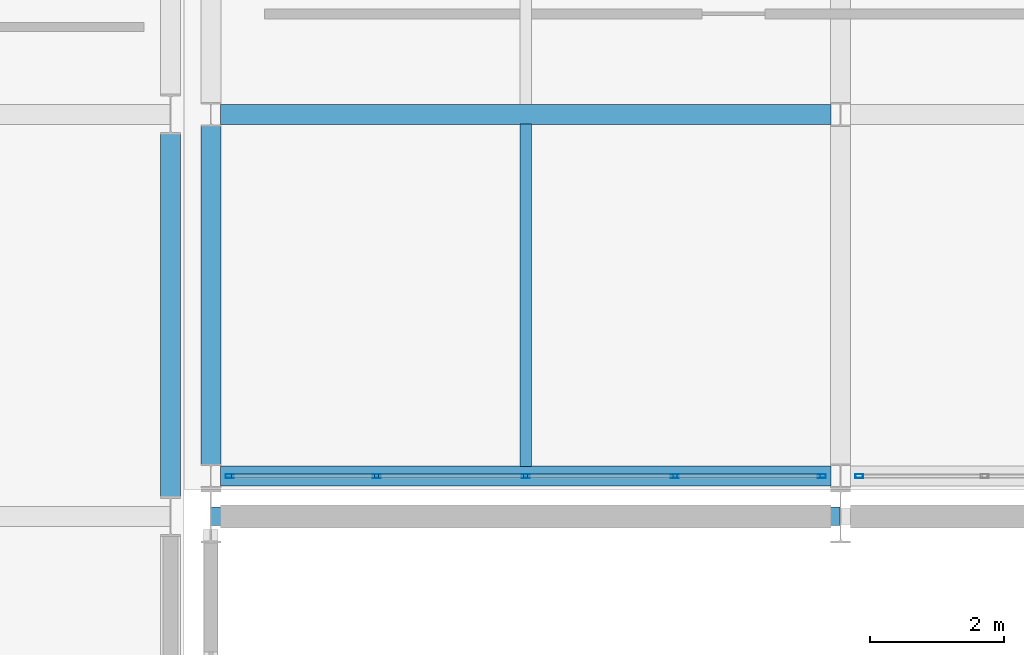
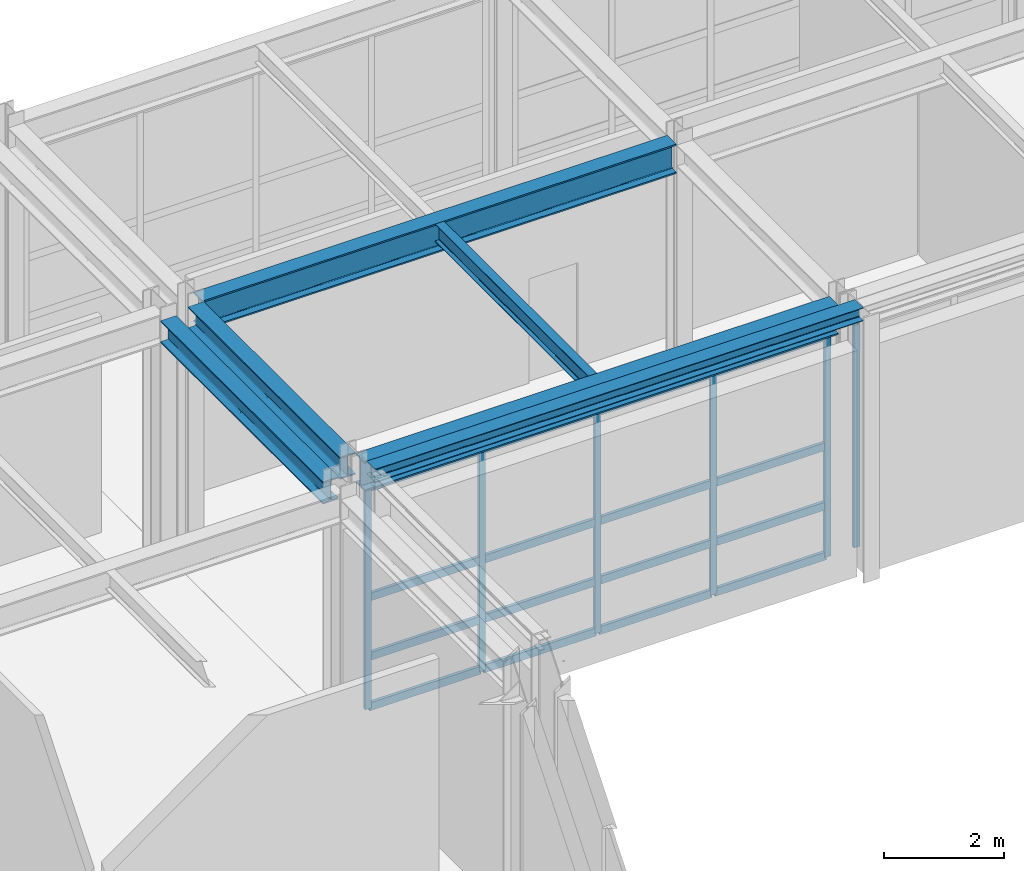
# One storey, part 119 of 210: 22 members, 6 beams, 2 elements without a shape of their own.
"""IFC4 building model written with IfcOpenShell, lengths in metres."""

from ifc_helpers import new_model, si_unit, direction, frame, origin, origin_2d, place, context, subcontext, project, spatial, hollow_rectangle, i_section, extrude, material, material_profile, profile_set, type_object, element, aggregate, save


model = new_model("IFC4")

# Units and contexts
model_context = context("Model", 3, precision=1e-05, world=origin(), true_north=direction((0.0, 1.0)))
body_context = subcontext(model_context, "Body", "Model", "MODEL_VIEW")
ifc_project = project(units=[si_unit("LENGTHUNIT", "METRE"), si_unit("AREAUNIT", "SQUARE_METRE"), si_unit("VOLUMEUNIT", "CUBIC_METRE"), si_unit("PLANEANGLEUNIT", "RADIAN"), si_unit("MASSUNIT", "GRAM", prefix="KILO")], contexts=[model_context])

# Site, building, storey
site_placement = place(None, origin())
site = spatial("IfcSite", under=ifc_project, at=site_placement, CompositionType="ELEMENT")
building_placement = place(site_placement, origin())
building = spatial("IfcBuilding", under=site, at=building_placement, Name="Kaldris Quays Convention Centre", CompositionType="ELEMENT")
storey_placement = place(building_placement, frame((0.0, 0.0, 6.0)))
storey = spatial("IfcBuildingStorey", under=building, at=storey_placement, Name="L01", CompositionType="ELEMENT", Elevation=6.0)

# Curtain wall, members
ifc_material_1 = material(Name="Anodized aluminium AW-6060 and triple glazing", Category="aluminium")
curtain_wall_type = type_object("IfcCurtainWallType", Name="UNITISED CURTAIN WALL CW06", PredefinedType="NOTDEFINED", material=ifc_material_1)
curtain_wall_1_placement = place(storey_placement, origin())
curtain_wall_1 = element("IfcCurtainWall", 1, at=curtain_wall_1_placement, inside=storey, type_object=curtain_wall_type, Name="L01 Unitised Curtain Wall CW06 160", PredefinedType="NOTDEFINED")
ifc_material_2 = material(Name="Anodized aluminium AW-6060", Category="aluminium")
ifc_material_profile_1 = material_profile(ifc_material_2, hollow_rectangle(XDim=0.06005859375, YDim=0.1201171875, WallThickness=0.00390625, at=origin_2d()), Name="RHS 120x60x4")
ifc_profile_set_1 = profile_set([ifc_material_profile_1], Name="Anodized aluminium AW-6060")
member_type_1 = type_object("IfcMemberType", Name="CURTAIN MULLION CWM3", PredefinedType="MULLION", material=ifc_profile_set_1)
member_1_placement = place(storey_placement, frame((164.8798828125, 104.60009765625, 0.0), z_axis=(0.0, 0.0, 1.0), x_axis=(0.0, 1.0, 0.0)))
member_1 = element("IfcMember", 2, at=member_1_placement, type_object=member_type_1, Name="CW06 mullion 1", PredefinedType="MULLION", context=body_context, shape_type="SweptSolid", body=[
    extrude(hollow_rectangle(XDim=0.06005859375, YDim=0.1201171875, WallThickness=0.00390625, at=origin_2d()), origin(), (0.0, 0.0, 1.0), 4.51806640625),
])
member_2_placement = place(storey_placement, frame((167.074951171875, 104.60009765625, 0.0), z_axis=(0.0, 0.0, 1.0), x_axis=(0.0, 1.0, 0.0)))
member_2 = element("IfcMember", 3, at=member_2_placement, type_object=member_type_1, Name="CW06 mullion 2", PredefinedType="MULLION", context=body_context, shape_type="SweptSolid", body=[
    extrude(hollow_rectangle(XDim=0.06005859375, YDim=0.1201171875, WallThickness=0.00390625, at=origin_2d()), origin(), (0.0, 0.0, 1.0), 4.51806640625),
])
member_3_placement = place(storey_placement, frame((169.300048828125, 104.60009765625, 0.0), z_axis=(0.0, 0.0, 1.0), x_axis=(0.0, 1.0, 0.0)))
member_3 = element("IfcMember", 4, at=member_3_placement, type_object=member_type_1, Name="CW06 mullion 3", PredefinedType="MULLION", context=body_context, shape_type="SweptSolid", body=[
    extrude(hollow_rectangle(XDim=0.06005859375, YDim=0.1201171875, WallThickness=0.00390625, at=origin_2d()), origin(), (0.0, 0.0, 1.0), 4.51806640625),
])
member_4_placement = place(storey_placement, frame((171.52490234375, 104.60009765625, 0.0), z_axis=(0.0, 0.0, 1.0), x_axis=(0.0, 1.0, 0.0)))
member_4 = element("IfcMember", 5, at=member_4_placement, type_object=member_type_1, Name="CW06 mullion 4", PredefinedType="MULLION", context=body_context, shape_type="SweptSolid", body=[
    extrude(hollow_rectangle(XDim=0.06005859375, YDim=0.1201171875, WallThickness=0.00390625, at=origin_2d()), origin(), (0.0, 0.0, 1.0), 4.51806640625),
])
member_5_placement = place(storey_placement, frame((173.719970703125, 104.60009765625, 0.0), z_axis=(0.0, 0.0, 1.0), x_axis=(0.0, 1.0, 0.0)))
member_5 = element("IfcMember", 6, at=member_5_placement, type_object=member_type_1, Name="CW06 mullion 5", PredefinedType="MULLION", context=body_context, shape_type="SweptSolid", body=[
    extrude(hollow_rectangle(XDim=0.06005859375, YDim=0.1201171875, WallThickness=0.00390625, at=origin_2d()), origin(), (0.0, 0.0, 1.0), 4.51806640625),
])

# Curtain wall, member
curtain_wall_2_placement = place(storey_placement, origin())
curtain_wall_2 = element("IfcCurtainWall", 7, at=curtain_wall_2_placement, inside=storey, type_object=curtain_wall_type, Name="L01 Unitised Curtain Wall CW06 162", PredefinedType="NOTDEFINED")
member_6_placement = place(storey_placement, frame((174.280029296875, 104.60009765625, 0.0), z_axis=(0.0, 0.0, 1.0), x_axis=(0.0, 1.0, 0.0)))
member_6 = element("IfcMember", 8, at=member_6_placement, type_object=member_type_1, Name="CW06 mullion 1", PredefinedType="MULLION", context=body_context, shape_type="SweptSolid", body=[
    extrude(hollow_rectangle(XDim=0.06005859375, YDim=0.1201171875, WallThickness=0.00390625, at=origin_2d()), origin(), (0.0, 0.0, 1.0), 4.51806640625),
])
aggregate(curtain_wall_2, [member_6])

# Member
ifc_material_profile_2 = material_profile(ifc_material_2, hollow_rectangle(XDim=0.06005859375, YDim=0.159912109375, WallThickness=0.00390625, at=origin_2d()), Name="RHS 160x60x4")
ifc_profile_set_2 = profile_set([ifc_material_profile_2], Name="Anodized aluminium AW-6060")
member_type_2 = type_object("IfcMemberType", Name="CURTAIN TRANSOM CWT2", PredefinedType="USERDEFINED", material=ifc_profile_set_2)
member_7_placement = place(storey_placement, frame((164.909912109375, 104.60009765625, 0.030029296875), z_axis=(1.0, 0.0, 0.0), x_axis=(0.0, 1.0, 0.0)))
member_7 = element("IfcMember", 9, at=member_7_placement, type_object=member_type_2, Name="CW06 transom 1.1", ObjectType="TRANSOM", PredefinedType="USERDEFINED", context=body_context, shape_type="SweptSolid", body=[
    extrude(hollow_rectangle(XDim=0.06005859375, YDim=0.159912109375, WallThickness=0.00390625, at=origin_2d()), origin(), (0.0, 0.0, 1.0), 2.135009765625),
])

member_8_placement = place(storey_placement, frame((164.909912109375, 104.60009765625, 1.050048828125), z_axis=(1.0, 0.0, 0.0), x_axis=(0.0, 1.0, 0.0)))
member_8 = element("IfcMember", 10, at=member_8_placement, type_object=member_type_2, Name="CW06 transom 1.2", ObjectType="TRANSOM", PredefinedType="USERDEFINED", context=body_context, shape_type="SweptSolid", body=[
    extrude(hollow_rectangle(XDim=0.06005859375, YDim=0.159912109375, WallThickness=0.00390625, at=origin_2d()), origin(), (0.0, 0.0, 1.0), 2.135009765625),
])

member_9_placement = place(storey_placement, frame((164.909912109375, 104.60009765625, 2.259033203125), z_axis=(1.0, 0.0, 0.0), x_axis=(0.0, 1.0, 0.0)))
member_9 = element("IfcMember", 11, at=member_9_placement, type_object=member_type_2, Name="CW06 transom 1.3", ObjectType="TRANSOM", PredefinedType="USERDEFINED", context=body_context, shape_type="SweptSolid", body=[
    extrude(hollow_rectangle(XDim=0.06005859375, YDim=0.159912109375, WallThickness=0.00390625, at=origin_2d()), origin(), (0.0, 0.0, 1.0), 2.135009765625),
])

member_10_placement = place(storey_placement, frame((164.909912109375, 104.60009765625, 4.488037109375), z_axis=(1.0, 0.0, 0.0), x_axis=(0.0, 1.0, 0.0)))
member_10 = element("IfcMember", 12, at=member_10_placement, type_object=member_type_2, Name="CW06 transom 1.4", ObjectType="TRANSOM", PredefinedType="USERDEFINED", context=body_context, shape_type="SweptSolid", body=[
    extrude(hollow_rectangle(XDim=0.06005859375, YDim=0.159912109375, WallThickness=0.00390625, at=origin_2d()), origin(), (0.0, 0.0, 1.0), 2.135009765625),
])

member_11_placement = place(storey_placement, frame((167.10498046875, 104.60009765625, 0.030029296875), z_axis=(1.0, 0.0, 0.0), x_axis=(0.0, 1.0, 0.0)))
member_11 = element("IfcMember", 13, at=member_11_placement, type_object=member_type_2, Name="CW06 transom 2.1", ObjectType="TRANSOM", PredefinedType="USERDEFINED", context=body_context, shape_type="SweptSolid", body=[
    extrude(hollow_rectangle(XDim=0.06005859375, YDim=0.159912109375, WallThickness=0.00390625, at=origin_2d()), origin(), (0.0, 0.0, 1.0), 2.1650390625),
])

member_12_placement = place(storey_placement, frame((167.10498046875, 104.60009765625, 1.050048828125), z_axis=(1.0, 0.0, 0.0), x_axis=(0.0, 1.0, 0.0)))
member_12 = element("IfcMember", 14, at=member_12_placement, type_object=member_type_2, Name="CW06 transom 2.2", ObjectType="TRANSOM", PredefinedType="USERDEFINED", context=body_context, shape_type="SweptSolid", body=[
    extrude(hollow_rectangle(XDim=0.06005859375, YDim=0.159912109375, WallThickness=0.00390625, at=origin_2d()), origin(), (0.0, 0.0, 1.0), 2.1650390625),
])

member_13_placement = place(storey_placement, frame((167.10498046875, 104.60009765625, 2.259033203125), z_axis=(1.0, 0.0, 0.0), x_axis=(0.0, 1.0, 0.0)))
member_13 = element("IfcMember", 15, at=member_13_placement, type_object=member_type_2, Name="CW06 transom 2.3", ObjectType="TRANSOM", PredefinedType="USERDEFINED", context=body_context, shape_type="SweptSolid", body=[
    extrude(hollow_rectangle(XDim=0.06005859375, YDim=0.159912109375, WallThickness=0.00390625, at=origin_2d()), origin(), (0.0, 0.0, 1.0), 2.1650390625),
])

member_14_placement = place(storey_placement, frame((167.10498046875, 104.60009765625, 4.488037109375), z_axis=(1.0, 0.0, 0.0), x_axis=(0.0, 1.0, 0.0)))
member_14 = element("IfcMember", 16, at=member_14_placement, type_object=member_type_2, Name="CW06 transom 2.4", ObjectType="TRANSOM", PredefinedType="USERDEFINED", context=body_context, shape_type="SweptSolid", body=[
    extrude(hollow_rectangle(XDim=0.06005859375, YDim=0.159912109375, WallThickness=0.00390625, at=origin_2d()), origin(), (0.0, 0.0, 1.0), 2.1650390625),
])

member_15_placement = place(storey_placement, frame((169.330078125, 104.60009765625, 0.030029296875), z_axis=(1.0, 0.0, 0.0), x_axis=(0.0, 1.0, 0.0)))
member_15 = element("IfcMember", 17, at=member_15_placement, type_object=member_type_2, Name="CW06 transom 3.1", ObjectType="TRANSOM", PredefinedType="USERDEFINED", context=body_context, shape_type="SweptSolid", body=[
    extrude(hollow_rectangle(XDim=0.06005859375, YDim=0.159912109375, WallThickness=0.00390625, at=origin_2d()), origin(), (0.0, 0.0, 1.0), 2.1650390625),
])

member_16_placement = place(storey_placement, frame((169.330078125, 104.60009765625, 1.050048828125), z_axis=(1.0, 0.0, 0.0), x_axis=(0.0, 1.0, 0.0)))
member_16 = element("IfcMember", 18, at=member_16_placement, type_object=member_type_2, Name="CW06 transom 3.2", ObjectType="TRANSOM", PredefinedType="USERDEFINED", context=body_context, shape_type="SweptSolid", body=[
    extrude(hollow_rectangle(XDim=0.06005859375, YDim=0.159912109375, WallThickness=0.00390625, at=origin_2d()), origin(), (0.0, 0.0, 1.0), 2.1650390625),
])

member_17_placement = place(storey_placement, frame((169.330078125, 104.60009765625, 2.259033203125), z_axis=(1.0, 0.0, 0.0), x_axis=(0.0, 1.0, 0.0)))
member_17 = element("IfcMember", 19, at=member_17_placement, type_object=member_type_2, Name="CW06 transom 3.3", ObjectType="TRANSOM", PredefinedType="USERDEFINED", context=body_context, shape_type="SweptSolid", body=[
    extrude(hollow_rectangle(XDim=0.06005859375, YDim=0.159912109375, WallThickness=0.00390625, at=origin_2d()), origin(), (0.0, 0.0, 1.0), 2.1650390625),
])

member_18_placement = place(storey_placement, frame((169.330078125, 104.60009765625, 4.488037109375), z_axis=(1.0, 0.0, 0.0), x_axis=(0.0, 1.0, 0.0)))
member_18 = element("IfcMember", 20, at=member_18_placement, type_object=member_type_2, Name="CW06 transom 3.4", ObjectType="TRANSOM", PredefinedType="USERDEFINED", context=body_context, shape_type="SweptSolid", body=[
    extrude(hollow_rectangle(XDim=0.06005859375, YDim=0.159912109375, WallThickness=0.00390625, at=origin_2d()), origin(), (0.0, 0.0, 1.0), 2.1650390625),
])

member_19_placement = place(storey_placement, frame((171.554931640625, 104.60009765625, 0.030029296875), z_axis=(1.0, 0.0, 0.0), x_axis=(0.0, 1.0, 0.0)))
member_19 = element("IfcMember", 21, at=member_19_placement, type_object=member_type_2, Name="CW06 transom 4.1", ObjectType="TRANSOM", PredefinedType="USERDEFINED", context=body_context, shape_type="SweptSolid", body=[
    extrude(hollow_rectangle(XDim=0.06005859375, YDim=0.159912109375, WallThickness=0.00390625, at=origin_2d()), origin(), (0.0, 0.0, 1.0), 2.135009765625),
])

member_20_placement = place(storey_placement, frame((171.554931640625, 104.60009765625, 1.050048828125), z_axis=(1.0, 0.0, 0.0), x_axis=(0.0, 1.0, 0.0)))
member_20 = element("IfcMember", 22, at=member_20_placement, type_object=member_type_2, Name="CW06 transom 4.2", ObjectType="TRANSOM", PredefinedType="USERDEFINED", context=body_context, shape_type="SweptSolid", body=[
    extrude(hollow_rectangle(XDim=0.06005859375, YDim=0.159912109375, WallThickness=0.00390625, at=origin_2d()), origin(), (0.0, 0.0, 1.0), 2.135009765625),
])

member_21_placement = place(storey_placement, frame((171.554931640625, 104.60009765625, 2.259033203125), z_axis=(1.0, 0.0, 0.0), x_axis=(0.0, 1.0, 0.0)))
member_21 = element("IfcMember", 23, at=member_21_placement, type_object=member_type_2, Name="CW06 transom 4.3", ObjectType="TRANSOM", PredefinedType="USERDEFINED", context=body_context, shape_type="SweptSolid", body=[
    extrude(hollow_rectangle(XDim=0.06005859375, YDim=0.159912109375, WallThickness=0.00390625, at=origin_2d()), origin(), (0.0, 0.0, 1.0), 2.135009765625),
])

member_22_placement = place(storey_placement, frame((171.554931640625, 104.60009765625, 4.488037109375), z_axis=(1.0, 0.0, 0.0), x_axis=(0.0, 1.0, 0.0)))
member_22 = element("IfcMember", 24, at=member_22_placement, type_object=member_type_2, Name="CW06 transom 4.4", ObjectType="TRANSOM", PredefinedType="USERDEFINED", context=body_context, shape_type="SweptSolid", body=[
    extrude(hollow_rectangle(XDim=0.06005859375, YDim=0.159912109375, WallThickness=0.00390625, at=origin_2d()), origin(), (0.0, 0.0, 1.0), 2.135009765625),
])

aggregate(curtain_wall_1, [member_1, member_2, member_3, member_4, member_5, member_7, member_8, member_9, member_10, member_11, member_12, member_13, member_14, member_15, member_16, member_17, member_18, member_19, member_20, member_21, member_22])

# Beams
ifc_material_3 = material(Name="Steel S355J2", Category="steel")
ifc_material_profile_3 = material_profile(ifc_material_3, i_section(OverallWidth=0.300048828125, OverallDepth=0.60009765625, WebThickness=0.015380859375, FlangeThickness=0.030029296875, FilletRadius=0.027099609375, at=origin_2d()), Name="HEB 600")
ifc_profile_set_3 = profile_set([ifc_material_profile_3], Name="Steel S355J2")
beam_type_1 = type_object("IfcBeamType", Name="STRUCTURAL BEAM BM05", PredefinedType="BEAM", material=ifc_profile_set_3)
for number, where, z_axis, x_axis, name in (
    (25, (164.743896484375, 104.60009765625, 4.843017578125), (1.0, 0.0, 0.0), (0.0, 1.0, 0.0), "L01 Girder BM05 43"),
    (26, (164.743896484375, 110.0, 4.843017578125), (1.0, 0.0, 0.0), (0.0, 1.0, 0.0), "L01 Girder BM05 48"),
):
    element("IfcBeam", number, at=place(storey_placement, frame(where, z_axis=z_axis, x_axis=x_axis)), inside=storey, type_object=beam_type_1, Name=name, PredefinedType="BEAM", context=body_context, shape_type="SweptSolid", body=[
        extrude(i_section(OverallWidth=0.300048828125, OverallDepth=0.60009765625, WebThickness=0.015380859375, FlangeThickness=0.030029296875, FilletRadius=0.027099609375, at=origin_2d()), origin(), (0.0, 0.0, 1.0), 9.112060546875),
    ])
ifc_material_profile_4 = material_profile(ifc_material_3, i_section(OverallWidth=0.300048828125, OverallDepth=0.449951171875, WebThickness=0.013916015625, FlangeThickness=0.02587890625, FilletRadius=0.027099609375, at=origin_2d()), Name="HEB 450")
ifc_profile_set_4 = profile_set([ifc_material_profile_4], Name="Steel S355J2")
beam_type_2 = type_object("IfcBeamType", Name="STRUCTURAL BEAM BM07", PredefinedType="BEAM", material=ifc_profile_set_4)
beam_1_placement = place(storey_placement, frame((164.0, 104.2939453125, 4.91796875), z_axis=(0.0, 1.0, 0.0), x_axis=(-1.0, 0.0, 0.0)))
element("IfcBeam", 27, at=beam_1_placement, inside=storey, type_object=beam_type_2, Name="L01 Girder BM07 100", PredefinedType="BEAM", context=body_context, shape_type="SweptSolid", body=[
    extrude(i_section(OverallWidth=0.300048828125, OverallDepth=0.449951171875, WebThickness=0.013916015625, FlangeThickness=0.02587890625, FilletRadius=0.027099609375, at=origin_2d()), origin(), (0.0, 0.0, 1.0), 5.412109375),
])
beam_2_placement = place(storey_placement, frame((164.60009765625, 104.77392578125, 4.91796875), z_axis=(0.0, 1.0, 0.0), x_axis=(-1.0, 0.0, 0.0)))
element("IfcBeam", 28, at=beam_2_placement, inside=storey, type_object=beam_type_2, Name="L01 Girder BM07 102", PredefinedType="BEAM", context=body_context, shape_type="SweptSolid", body=[
    extrude(i_section(OverallWidth=0.300048828125, OverallDepth=0.449951171875, WebThickness=0.013916015625, FlangeThickness=0.02587890625, FilletRadius=0.027099609375, at=origin_2d()), origin(), (0.0, 0.0, 1.0), 5.052001953125),
])
ifc_material_profile_5 = material_profile(ifc_material_3, i_section(OverallWidth=0.169921875, OverallDepth=0.360107421875, WebThickness=0.008056640625, FlangeThickness=0.0126953125, FilletRadius=0.01806640625, at=origin_2d()), Name="IPE 360")
ifc_profile_set_5 = profile_set([ifc_material_profile_5], Name="Steel S355J2")
beam_type_3 = type_object("IfcBeamType", Name="STRUCTURAL BEAM JT03", PredefinedType="JOIST", material=ifc_profile_set_5)
beam_3_placement = place(storey_placement, frame((169.300048828125, 104.743896484375, 4.962890625), z_axis=(0.0, 1.0, 0.0), x_axis=(-1.0, 0.0, 0.0)))
element("IfcBeam", 29, at=beam_3_placement, inside=storey, type_object=beam_type_3, Name="L01 Secondary Joist JT03 28", PredefinedType="JOIST", context=body_context, shape_type="SweptSolid", body=[
    extrude(i_section(OverallWidth=0.169921875, OverallDepth=0.360107421875, WebThickness=0.008056640625, FlangeThickness=0.0126953125, FilletRadius=0.01806640625, at=origin_2d()), origin(), (0.0, 0.0, 1.0), 5.112060546875),
])
ifc_material_profile_6 = material_profile(ifc_material_3, i_section(OverallWidth=0.280029296875, OverallDepth=0.27001953125, WebThickness=0.008056640625, FlangeThickness=0.012939453125, FilletRadius=0.02392578125, at=origin_2d()), Name="HEA 280")
ifc_profile_set_6 = profile_set([ifc_material_profile_6], Name="Steel S355J2")
beam_type_4 = type_object("IfcBeamType", Name="STRUCTURAL BEAM SP03", PredefinedType="SPANDREL", material=ifc_profile_set_6)
beam_4_placement = place(storey_placement, frame((164.60595703125, 104.0, 5.264892578125), z_axis=(1.0, 0.0, 0.0), x_axis=(0.0, 1.0, 0.0)))
element("IfcBeam", 30, at=beam_4_placement, inside=storey, type_object=beam_type_4, Name="L01 Perimeter Wall-Bearing Spandrel SP03 39", PredefinedType="SPANDREL", context=body_context, shape_type="SweptSolid", body=[
    extrude(i_section(OverallWidth=0.280029296875, OverallDepth=0.27001953125, WebThickness=0.008056640625, FlangeThickness=0.012939453125, FilletRadius=0.02392578125, at=origin_2d()), origin(), (0.0, 0.0, 1.0), 9.387939453125),
])

save(model, "model.ifc")
